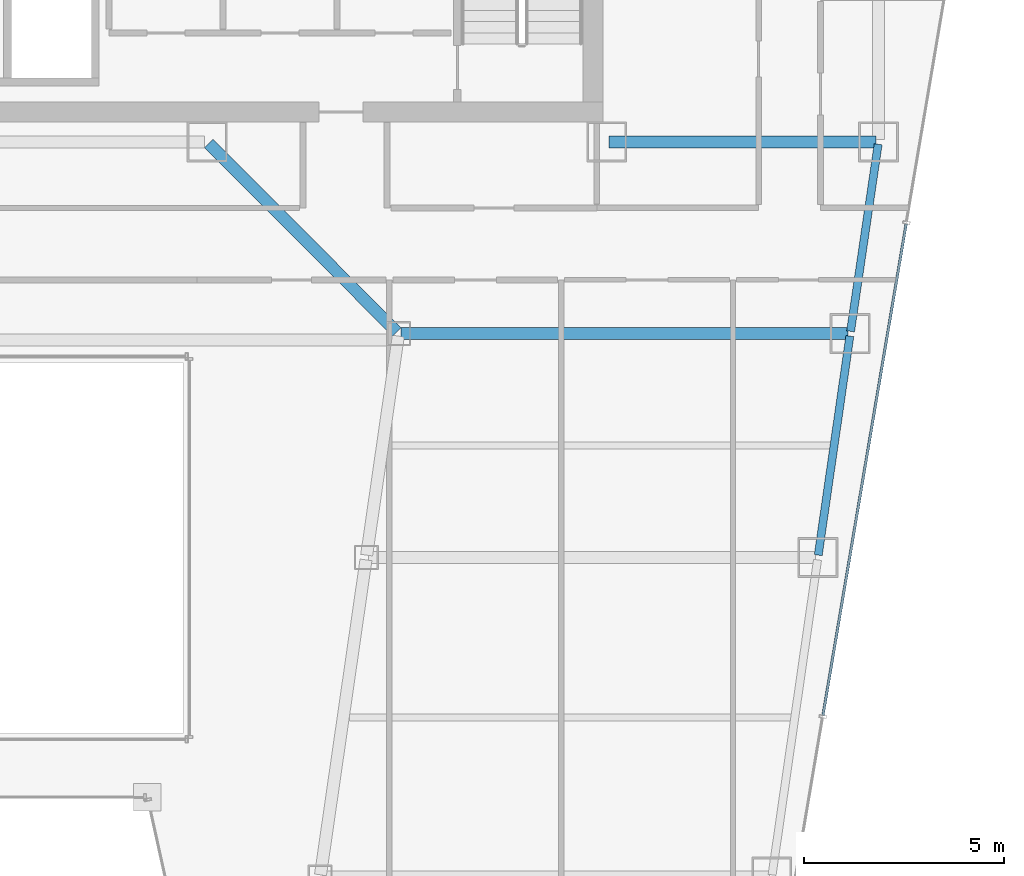
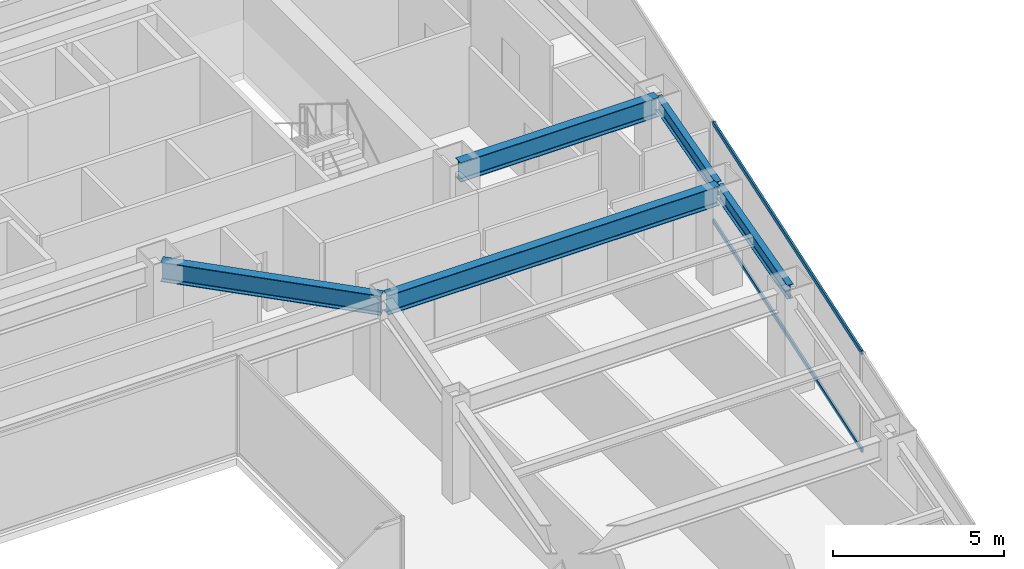
# One storey, part 19 of 36: 5 beams, 2 members, 1 element without a shape of its own.
"""IFC4 building model written with IfcOpenShell, lengths in metres."""

from ifc_helpers import new_model, si_unit, direction, frame, origin, origin_2d, place, context, subcontext, project, spatial, hollow_rectangle, i_section, extrude, material, material_profile, profile_set, type_object, element, aggregate, save


model = new_model("IFC4")

# Units and contexts
model_context = context("Model", 3, precision=1e-05, world=origin(), true_north=direction((0.0, 1.0)))
body_context = subcontext(model_context, "Body", "Model", "MODEL_VIEW")
ifc_project = project(units=[si_unit("LENGTHUNIT", "METRE"), si_unit("AREAUNIT", "SQUARE_METRE"), si_unit("VOLUMEUNIT", "CUBIC_METRE"), si_unit("PLANEANGLEUNIT", "RADIAN"), si_unit("MASSUNIT", "GRAM", prefix="KILO")], contexts=[model_context])

# Site, building, storey
site_placement = place(None, origin())
site = spatial("IfcSite", under=ifc_project, at=site_placement, CompositionType="ELEMENT")
building_placement = place(site_placement, origin())
building = spatial("IfcBuilding", under=site, at=building_placement, Name="Saevonmaru Cultural Tower", CompositionType="ELEMENT")
storey_placement = place(building_placement, frame((0.0, 0.0, 171.39990234375)))
storey = spatial("IfcBuildingStorey", under=building, at=storey_placement, Name="L38", CompositionType="ELEMENT", Elevation=171.39990234375)

# Beams
ifc_material_1 = material(Name="Steel SM355", Category="steel")
ifc_material_profile_1 = material_profile(ifc_material_1, i_section(OverallWidth=0.300048828125, OverallDepth=0.699951171875, WebThickness=0.012939453125, FlangeThickness=0.02392578125, FilletRadius=0.02587890625, at=origin_2d()), Name="H-700x300x13x24")
ifc_profile_set_1 = profile_set([ifc_material_profile_1], Name="Steel SM355")
beam_type_1 = type_object("IfcBeamType", Name="BM-G-H700", PredefinedType="BEAM", material=ifc_profile_set_1)
beam_1_placement = place(storey_placement, frame((46.4599609375, 42.39990234375, 3.2001953125), z_axis=(1.0, 0.0, 0.0), x_axis=(0.0, 1.0, 0.0)))
element("IfcBeam", 1, at=beam_1_placement, inside=storey, type_object=beam_type_1, Name="L38 Core South Girder 5", PredefinedType="BEAM", context=body_context, shape_type="SweptSolid", body=[
    extrude(i_section(OverallWidth=0.300048828125, OverallDepth=0.699951171875, WebThickness=0.012939453125, FlangeThickness=0.02392578125, FilletRadius=0.02587890625, at=origin_2d()), origin(), (0.0, 0.0, 1.0), 6.679931640625),
])
beam_2_placement = place(storey_placement, frame((41.149658203125, 37.642578125, 3.2001953125), z_axis=(-0.706538566564, 0.707674539572, 0.0), x_axis=(-0.707674539572, -0.706538566564, 0.0)))
element("IfcBeam", 2, at=beam_2_placement, inside=storey, type_object=beam_type_1, Name="L38 East Atrium Girder 4", PredefinedType="BEAM", context=body_context, shape_type="SweptSolid", body=[
    extrude(i_section(OverallWidth=0.300048828125, OverallDepth=0.699951171875, WebThickness=0.012939453125, FlangeThickness=0.02392578125, FilletRadius=0.02587890625, at=origin_2d()), origin(), (0.0, 0.0, 1.0), 6.662353515625),
])
beam_3_placement = place(storey_placement, frame((41.251953125, 37.60009765625, 3.2001953125), z_axis=(1.0, 0.0, 0.0), x_axis=(0.0, 1.0, 0.0)))
element("IfcBeam", 3, at=beam_3_placement, inside=storey, type_object=beam_type_1, Name="L38 East Wing Transverse Girder 4", PredefinedType="BEAM", context=body_context, shape_type="SweptSolid", body=[
    extrude(i_section(OverallWidth=0.300048828125, OverallDepth=0.699951171875, WebThickness=0.012939453125, FlangeThickness=0.02392578125, FilletRadius=0.02587890625, at=origin_2d()), origin(), (0.0, 0.0, 1.0), 11.179931640625),
])
ifc_material_profile_2 = material_profile(ifc_material_1, i_section(OverallWidth=0.199951171875, OverallDepth=0.5, WebThickness=0.010009765625, FlangeThickness=0.01611328125, FilletRadius=0.02001953125, at=origin_2d()), Name="H-500x200x10x16")
ifc_profile_set_2 = profile_set([ifc_material_profile_2], Name="Steel SM355")
beam_type_2 = type_object("IfcBeamType", Name="BM-SP-H500", PredefinedType="SPANDREL", material=ifc_profile_set_2)
beam_4_placement = place(storey_placement, frame((51.691650390625, 32.059326171875, 3.300048828125), z_axis=(0.142964121327, 0.989727871697, 0.0), x_axis=(-0.989727871697, 0.142964121327, 0.0)))
element("IfcBeam", 4, at=beam_4_placement, inside=storey, type_object=beam_type_2, Name="L38 East Splayed Spandrel 3", PredefinedType="SPANDREL", context=body_context, shape_type="SweptSolid", body=[
    extrude(i_section(OverallWidth=0.199951171875, OverallDepth=0.5, WebThickness=0.010009765625, FlangeThickness=0.01611328125, FilletRadius=0.02001953125, at=origin_2d()), origin(), (0.0, 0.0, 1.0), 5.5380859375),
])
beam_5_placement = place(storey_placement, frame((52.500732421875, 37.659423828125, 3.300048828125), z_axis=(0.145912860028, 0.989297446312, 0.0), x_axis=(-0.989297446312, 0.145912860028, 0.0)))
element("IfcBeam", 5, at=beam_5_placement, inside=storey, type_object=beam_type_2, Name="L38 East Splayed Spandrel 4", PredefinedType="SPANDREL", context=body_context, shape_type="SweptSolid", body=[
    extrude(i_section(OverallWidth=0.199951171875, OverallDepth=0.5, WebThickness=0.010009765625, FlangeThickness=0.01611328125, FilletRadius=0.02001953125, at=origin_2d()), origin(), (0.0, 0.0, 1.0), 4.731689453125),
])

# Curtain wall, members
ifc_material_2 = material(Name="Satin Bronze Anodised Aluminium", Category="aluminium")
curtain_wall_type = type_object("IfcCurtainWallType", Name="CW-TYP-A", PredefinedType="NOTDEFINED", material=ifc_material_2)
curtain_wall_placement = place(storey_placement, origin())
curtain_wall = element("IfcCurtainWall", 6, at=curtain_wall_placement, inside=storey, type_object=curtain_wall_type, Name="L38 Unitised Curtain Wall E8", PredefinedType="NOTDEFINED")
ifc_material_profile_3 = material_profile(ifc_material_2, hollow_rectangle(XDim=0.06494140625, YDim=0.14990234375, WallThickness=0.00390625, at=origin_2d()), Name="ALU-TRAN-150x65x4")
ifc_profile_set_3 = profile_set([ifc_material_profile_3], Name="Satin Bronze Anodised Aluminium")
member_type = type_object("IfcMemberType", Name="TR-CW-150x65", PredefinedType="USERDEFINED", material=ifc_profile_set_3)
member_1_placement = place(storey_placement, frame((51.810302734375, 28.0517578125, 0.03271484375), z_axis=(0.166925351203, 0.985969536611, 0.0), x_axis=(-0.985969536611, 0.166925351203, 0.0)))
member_1 = element("IfcMember", 7, at=member_1_placement, type_object=member_type, Name="CW-TW-L38-E8 transom 2.1", ObjectType="TRANSOM", PredefinedType="USERDEFINED", context=body_context, shape_type="SweptSolid", body=[
    extrude(hollow_rectangle(XDim=0.06494140625, YDim=0.14990234375, WallThickness=0.00390625, at=origin_2d()), origin(), (0.0, 0.0, 1.0), 12.471435546875),
])
member_2_placement = place(storey_placement, frame((51.810302734375, 28.0517578125, 3.517578125), z_axis=(0.166925351203, 0.985969536611, 0.0), x_axis=(-0.985969536611, 0.166925351203, 0.0)))
member_2 = element("IfcMember", 8, at=member_2_placement, type_object=member_type, Name="CW-TW-L38-E8 transom 2.2", ObjectType="TRANSOM", PredefinedType="USERDEFINED", context=body_context, shape_type="SweptSolid", body=[
    extrude(hollow_rectangle(XDim=0.06494140625, YDim=0.14990234375, WallThickness=0.00390625, at=origin_2d()), origin(), (0.0, 0.0, 1.0), 12.471435546875),
])
aggregate(curtain_wall, [member_1, member_2])

save(model, "model.ifc")
